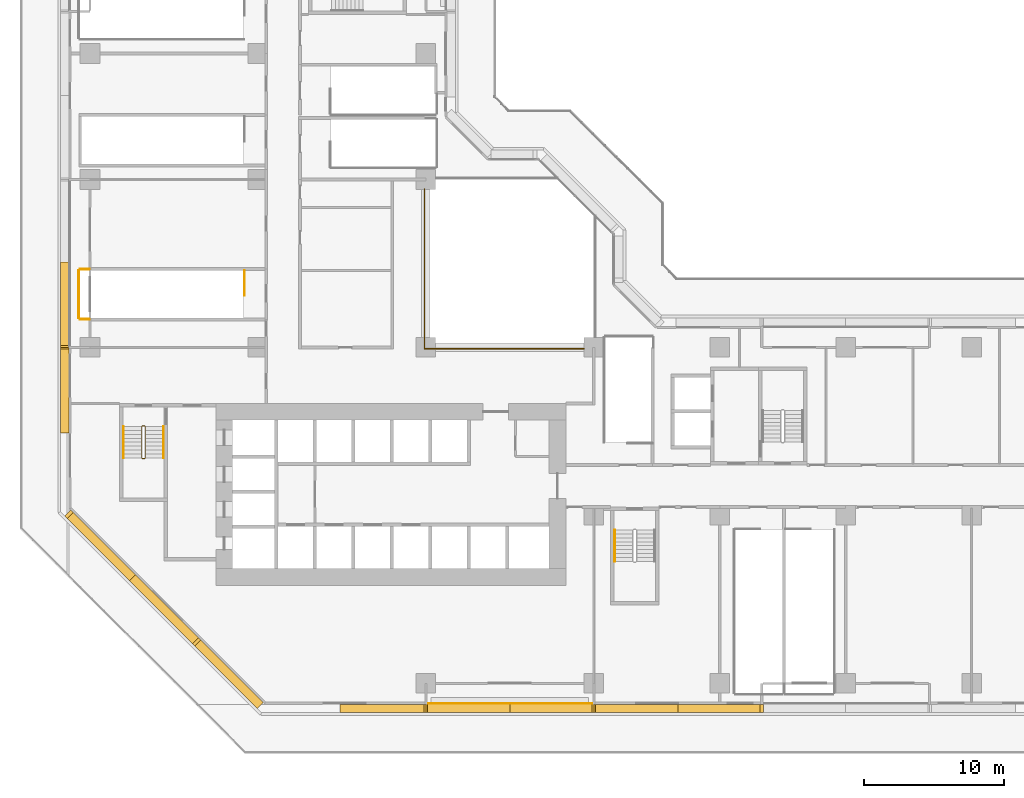
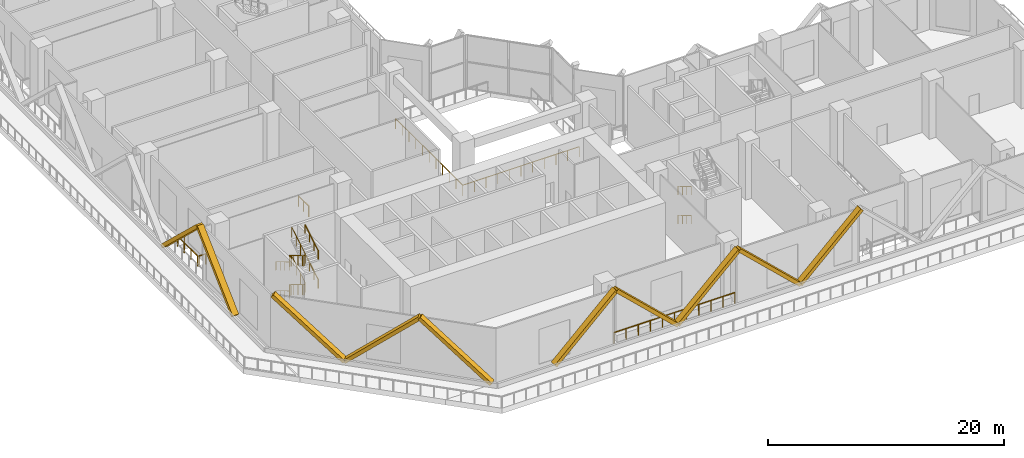
# One storey, part 11 of 16: 13 railings, 10 coverings.
"""IFC4 building model written with IfcOpenShell, lengths in metres."""

from ifc_helpers import new_model, si_unit, direction, frame, origin, origin_2d, place, context, subcontext, project, spatial, rectangle, extrude, material, material_profile, profile_set, type_object, element, save


model = new_model("IFC4")

# Units and contexts
model_context = context("Model", 3, precision=1e-05, world=origin(), true_north=direction((0.0, 1.0)))
body_context = subcontext(model_context, "Body", "Model", "MODEL_VIEW")
ifc_project = project(units=[si_unit("LENGTHUNIT", "METRE"), si_unit("AREAUNIT", "SQUARE_METRE"), si_unit("VOLUMEUNIT", "CUBIC_METRE"), si_unit("PLANEANGLEUNIT", "RADIAN"), si_unit("MASSUNIT", "GRAM", prefix="KILO")], contexts=[model_context])

# Site, building, storey
site_placement = place(None, origin())
site = spatial("IfcSite", under=ifc_project, at=site_placement, CompositionType="ELEMENT")
building_placement = place(site_placement, origin())
building = spatial("IfcBuilding", under=site, at=building_placement, Name="Chenar Terraces", CompositionType="ELEMENT")
storey_placement = place(building_placement, frame((0.0, 0.0, 35.39990234375)))
storey = spatial("IfcBuildingStorey", under=building, at=storey_placement, Name="L06", CompositionType="ELEMENT", Elevation=35.39990234375)

# Railings
ifc_material_1 = material(Name="Powder-coated steel", Category="steel")
railing_type_1 = type_object("IfcRailingType", Name="Guard 1100 steel rail with glass infill", PredefinedType="GUARDRAIL", material=ifc_material_1)
railing_1_placement = place(storey_placement, frame((23.89990234375, 35.300048828125, 0.0)))
element("IfcRailing", 1, at=railing_1_placement, inside=storey, type_object=railing_type_1, Name="Guard L06-1", PredefinedType="GUARDRAIL", context=body_context, shape_type="SweptSolid", body=[
    extrude(rectangle(XDim=0.06005859375, YDim=0.06005859375, at=origin_2d()), frame((0.0, 0.0, 1.070068359375), z_axis=(0.0, -1.0, 0.0), x_axis=(1.0, 0.0, 0.0)), (0.0, 0.0, 1.0), 11.400146484375),
    extrude(rectangle(XDim=0.06005859375, YDim=0.06005859375, at=origin_2d()), frame((0.0, -11.400146484375, 1.070068359375), z_axis=(1.0, 0.0, 0.0), x_axis=(0.0, 1.0, 0.0)), (0.0, 0.0, 1.0), 11.400146484375),
    extrude(rectangle(XDim=0.050048828125, YDim=0.050048828125, at=origin_2d()), origin(), (0.0, 0.0, 1.0), 1.0400390625),
    extrude(rectangle(XDim=0.050048828125, YDim=0.050048828125, at=origin_2d()), frame((0.0, -1.14013671875, 0.0)), (0.0, 0.0, 1.0), 1.0400390625),
    extrude(rectangle(XDim=0.050048828125, YDim=0.050048828125, at=origin_2d()), frame((0.0, -2.280029296875, 0.0)), (0.0, 0.0, 1.0), 1.0400390625),
    extrude(rectangle(XDim=0.050048828125, YDim=0.050048828125, at=origin_2d()), frame((0.0, -3.419921875, 0.0)), (0.0, 0.0, 1.0), 1.0400390625),
    extrude(rectangle(XDim=0.050048828125, YDim=0.050048828125, at=origin_2d()), frame((0.0, -4.56005859375, 0.0)), (0.0, 0.0, 1.0), 1.0400390625),
    extrude(rectangle(XDim=0.050048828125, YDim=0.050048828125, at=origin_2d()), frame((0.0, -5.7001953125, 0.0)), (0.0, 0.0, 1.0), 1.0400390625),
    extrude(rectangle(XDim=0.050048828125, YDim=0.050048828125, at=origin_2d()), frame((0.0, -6.840087890625, 0.0)), (0.0, 0.0, 1.0), 1.0400390625),
    extrude(rectangle(XDim=0.050048828125, YDim=0.050048828125, at=origin_2d()), frame((0.0, -7.97998046875, 0.0)), (0.0, 0.0, 1.0), 1.0400390625),
    extrude(rectangle(XDim=0.050048828125, YDim=0.050048828125, at=origin_2d()), frame((0.0, -9.1201171875, 0.0)), (0.0, 0.0, 1.0), 1.0400390625),
    extrude(rectangle(XDim=0.050048828125, YDim=0.050048828125, at=origin_2d()), frame((0.0, -10.26025390625, 0.0)), (0.0, 0.0, 1.0), 1.0400390625),
    extrude(rectangle(XDim=0.050048828125, YDim=0.050048828125, at=origin_2d()), frame((0.0, -11.400146484375, 0.0)), (0.0, 0.0, 1.0), 1.0400390625),
    extrude(rectangle(XDim=0.050048828125, YDim=0.050048828125, at=origin_2d()), frame((1.14013671875, -11.400146484375, 0.0)), (0.0, 0.0, 1.0), 1.0400390625),
    extrude(rectangle(XDim=0.050048828125, YDim=0.050048828125, at=origin_2d()), frame((2.280029296875, -11.400146484375, 0.0)), (0.0, 0.0, 1.0), 1.0400390625),
    extrude(rectangle(XDim=0.050048828125, YDim=0.050048828125, at=origin_2d()), frame((3.419921875, -11.400146484375, 0.0)), (0.0, 0.0, 1.0), 1.0400390625),
    extrude(rectangle(XDim=0.050048828125, YDim=0.050048828125, at=origin_2d()), frame((4.56005859375, -11.400146484375, 0.0)), (0.0, 0.0, 1.0), 1.0400390625),
    extrude(rectangle(XDim=0.050048828125, YDim=0.050048828125, at=origin_2d()), frame((5.7001953125, -11.400146484375, 0.0)), (0.0, 0.0, 1.0), 1.0400390625),
    extrude(rectangle(XDim=0.050048828125, YDim=0.050048828125, at=origin_2d()), frame((6.840087890625, -11.400146484375, 0.0)), (0.0, 0.0, 1.0), 1.0400390625),
    extrude(rectangle(XDim=0.050048828125, YDim=0.050048828125, at=origin_2d()), frame((7.97998046875, -11.400146484375, 0.0)), (0.0, 0.0, 1.0), 1.0400390625),
    extrude(rectangle(XDim=0.050048828125, YDim=0.050048828125, at=origin_2d()), frame((9.1201171875, -11.400146484375, 0.0)), (0.0, 0.0, 1.0), 1.0400390625),
    extrude(rectangle(XDim=0.050048828125, YDim=0.050048828125, at=origin_2d()), frame((10.26025390625, -11.400146484375, 0.0)), (0.0, 0.0, 1.0), 1.0400390625),
    extrude(rectangle(XDim=0.050048828125, YDim=0.050048828125, at=origin_2d()), frame((11.400146484375, -11.400146484375, 0.0)), (0.0, 0.0, 1.0), 1.0400390625),
])
ifc_material_2 = material(Name="Stainless steel and glass", Category="steel")
railing_type_2 = type_object("IfcRailingType", Name="Loggia guard 1150", PredefinedType="GUARDRAIL", material=ifc_material_2)
railing_2_placement = place(storey_placement, frame((24.074951171875, -1.449951171875, 0.0)))
element("IfcRailing", 2, at=railing_2_placement, inside=storey, type_object=railing_type_2, Name="Loggia guard", PredefinedType="GUARDRAIL", context=body_context, shape_type="SweptSolid", body=[
    extrude(rectangle(XDim=0.048095703125, YDim=0.048095703125, at=origin_2d()), frame((0.0, 0.0, 1.1259765625), z_axis=(1.0, 0.0, 0.0), x_axis=(0.0, 1.0, 0.0)), (0.0, 0.0, 1.0), 11.85009765625),
    extrude(rectangle(XDim=0.0419921875, YDim=0.0419921875, at=origin_2d()), origin(), (0.0, 0.0, 1.0), 1.101806640625),
    extrude(rectangle(XDim=0.0419921875, YDim=0.0419921875, at=origin_2d()), frame((1.18505859375, 0.0, 0.0)), (0.0, 0.0, 1.0), 1.101806640625),
    extrude(rectangle(XDim=0.0419921875, YDim=0.0419921875, at=origin_2d()), frame((2.3701171875, 0.0, 0.0)), (0.0, 0.0, 1.0), 1.101806640625),
    extrude(rectangle(XDim=0.0419921875, YDim=0.0419921875, at=origin_2d()), frame((3.554931640625, 0.0, 0.0)), (0.0, 0.0, 1.0), 1.101806640625),
    extrude(rectangle(XDim=0.0419921875, YDim=0.0419921875, at=origin_2d()), frame((4.739990234375, 0.0, 0.0)), (0.0, 0.0, 1.0), 1.101806640625),
    extrude(rectangle(XDim=0.0419921875, YDim=0.0419921875, at=origin_2d()), frame((5.925048828125, 0.0, 0.0)), (0.0, 0.0, 1.0), 1.101806640625),
    extrude(rectangle(XDim=0.0419921875, YDim=0.0419921875, at=origin_2d()), frame((7.110107421875, 0.0, 0.0)), (0.0, 0.0, 1.0), 1.101806640625),
    extrude(rectangle(XDim=0.0419921875, YDim=0.0419921875, at=origin_2d()), frame((8.295166015625, 0.0, 0.0)), (0.0, 0.0, 1.0), 1.101806640625),
    extrude(rectangle(XDim=0.0419921875, YDim=0.0419921875, at=origin_2d()), frame((9.47998046875, 0.0, 0.0)), (0.0, 0.0, 1.0), 1.101806640625),
    extrude(rectangle(XDim=0.0419921875, YDim=0.0419921875, at=origin_2d()), frame((10.6650390625, 0.0, 0.0)), (0.0, 0.0, 1.0), 1.101806640625),
    extrude(rectangle(XDim=0.0419921875, YDim=0.0419921875, at=origin_2d()), frame((11.85009765625, 0.0, 0.0)), (0.0, 0.0, 1.0), 1.101806640625),
])
ifc_material_3 = material(Name="Powder-coated steel", Category="steel")
railing_type_3 = type_object("IfcRailingType", Name="Stair guard 1100", PredefinedType="GUARDRAIL", material=ifc_material_3)
railing_3_placement = place(storey_placement, frame((3.949951171875, 18.35009765625, 6.0)))
element("IfcRailing", 3, at=railing_3_placement, inside=storey, type_object=railing_type_3, Name="L06 ST1 stair guard 1", PredefinedType="GUARDRAIL", context=body_context, shape_type="SweptSolid", body=[
    extrude(rectangle(XDim=0.048095703125, YDim=0.048095703125, at=origin_2d()), frame((0.0, 0.0, 1.076171875), z_axis=(0.0, -0.859305625298, -0.511462454469), x_axis=(1.0, 0.0, 0.0)), (0.0, 0.0, 1.0), 2.606689453125),
    extrude(rectangle(XDim=0.048095703125, YDim=0.048095703125, at=origin_2d()), frame((0.0, -2.239990234375, -0.25732421875), z_axis=(-0.27628659633, -0.27628659633, -0.920506074601), x_axis=(0.707106781187, -0.707106781187, 0.0)), (0.0, 0.0, 1.0), 0.18115234375),
    extrude(rectangle(XDim=0.048095703125, YDim=0.048095703125, at=origin_2d()), frame((-0.050048828125, -2.2900390625, -0.423828125), z_axis=(-1.0, 0.0, 0.0), x_axis=(0.0, -1.0, 0.0)), (0.0, 0.0, 1.0), 0.14990234375),
    extrude(rectangle(XDim=0.048095703125, YDim=0.048095703125, at=origin_2d()), frame((-0.199951171875, -2.2900390625, -0.423828125), z_axis=(-0.707106781187, 0.707106781187, 0.0), x_axis=(-0.707106781187, -0.707106781187, 0.0)), (0.0, 0.0, 1.0), 0.07080078125),
    extrude(rectangle(XDim=0.048095703125, YDim=0.048095703125, at=origin_2d()), frame((-0.25, -2.239990234375, -0.423828125), z_axis=(0.0, 0.859305625298, -0.511462454469), x_axis=(-1.0, 0.0, 0.0)), (0.0, 0.0, 1.0), 2.606689453125),
    extrude(rectangle(XDim=0.048095703125, YDim=0.048095703125, at=origin_2d()), frame((-0.25, 0.0, -1.75732421875), z_axis=(0.754313153044, 0.1878875253, -0.629054802844), x_axis=(-0.241699205484, 0.970351222016, 0.0)), (0.0, 0.0, 1.0), 0.26513671875),
    extrude(rectangle(XDim=0.048095703125, YDim=0.048095703125, at=origin_2d()), frame((-0.050048828125, 0.0498046875, -1.923828125), z_axis=(-1.0, 0.0, 0.0), x_axis=(0.0, -1.0, 0.0)), (0.0, 0.0, 1.0), 0.14990234375),
    extrude(rectangle(XDim=0.048095703125, YDim=0.048095703125, at=origin_2d()), frame((-0.199951171875, 0.0498046875, -1.923828125), z_axis=(0.970351222016, -0.241699205484, 0.0), x_axis=(0.241699205484, 0.970351222016, 0.0)), (0.0, 0.0, 1.0), 0.2060546875),
    extrude(rectangle(XDim=0.048095703125, YDim=0.048095703125, at=origin_2d()), frame((0.0, 0.0, -1.923828125), z_axis=(0.0, -0.859305625298, -0.511462454469), x_axis=(1.0, 0.0, 0.0)), (0.0, 0.0, 1.0), 2.606689453125),
    extrude(rectangle(XDim=0.048095703125, YDim=0.048095703125, at=origin_2d()), frame((0.0, -2.239990234375, -3.25732421875), z_axis=(-0.27628659633, -0.27628659633, -0.920506074601), x_axis=(0.707106781187, -0.707106781187, 0.0)), (0.0, 0.0, 1.0), 0.18115234375),
    extrude(rectangle(XDim=0.048095703125, YDim=0.048095703125, at=origin_2d()), frame((-0.050048828125, -2.2900390625, -3.423828125), z_axis=(-1.0, 0.0, 0.0), x_axis=(0.0, -1.0, 0.0)), (0.0, 0.0, 1.0), 0.14990234375),
    extrude(rectangle(XDim=0.048095703125, YDim=0.048095703125, at=origin_2d()), frame((-0.199951171875, -2.2900390625, -3.423828125), z_axis=(-0.707106781187, 0.707106781187, 0.0), x_axis=(-0.707106781187, -0.707106781187, 0.0)), (0.0, 0.0, 1.0), 0.07080078125),
    extrude(rectangle(XDim=0.048095703125, YDim=0.048095703125, at=origin_2d()), frame((-0.25, -2.239990234375, -3.423828125), z_axis=(0.0, 0.859305625298, -0.511462454469), x_axis=(-1.0, 0.0, 0.0)), (0.0, 0.0, 1.0), 2.606689453125),
    extrude(rectangle(XDim=0.048095703125, YDim=0.048095703125, at=origin_2d()), frame((-0.25, 0.0, -4.75732421875), z_axis=(0.276389281352, 0.275041040955, -0.920848191041), x_axis=(-0.705375805398, 0.708833529934, 0.0)), (0.0, 0.0, 1.0), 0.18115234375),
    extrude(rectangle(XDim=0.048095703125, YDim=0.048095703125, at=origin_2d()), frame((-0.199951171875, 0.0498046875, -4.923828125), z_axis=(1.0, 0.0, 0.0), x_axis=(0.0, 1.0, 0.0)), (0.0, 0.0, 1.0), 0.14990234375),
    extrude(rectangle(XDim=0.0419921875, YDim=0.0419921875, at=origin_2d()), origin(), (0.0, 0.0, 1.0), 1.052001953125),
    extrude(rectangle(XDim=0.0419921875, YDim=0.0419921875, at=origin_2d()), frame((0.0, -0.74658203125, -0.4443359375)), (0.0, 0.0, 1.0), 1.052001953125),
    extrude(rectangle(XDim=0.0419921875, YDim=0.0419921875, at=origin_2d()), frame((0.0, -1.493408203125, -0.888916015625)), (0.0, 0.0, 1.0), 1.052001953125),
    extrude(rectangle(XDim=0.0419921875, YDim=0.0419921875, at=origin_2d()), frame((0.0, -2.239990234375, -1.333251953125)), (0.0, 0.0, 1.0), 1.052001953125),
    extrude(rectangle(XDim=0.0419921875, YDim=0.0419921875, at=origin_2d()), frame((-0.050048828125, -2.2900390625, -1.5)), (0.0, 0.0, 1.0), 1.052001953125),
    extrude(rectangle(XDim=0.0419921875, YDim=0.0419921875, at=origin_2d()), frame((-0.199951171875, -2.2900390625, -1.5)), (0.0, 0.0, 1.0), 1.052001953125),
    extrude(rectangle(XDim=0.0419921875, YDim=0.0419921875, at=origin_2d()), frame((-0.25, -2.239990234375, -1.5)), (0.0, 0.0, 1.0), 1.052001953125),
    extrude(rectangle(XDim=0.0419921875, YDim=0.0419921875, at=origin_2d()), frame((-0.25, -1.493408203125, -1.9443359375)), (0.0, 0.0, 1.0), 1.052001953125),
    extrude(rectangle(XDim=0.0419921875, YDim=0.0419921875, at=origin_2d()), frame((-0.25, -0.74658203125, -2.388916015625)), (0.0, 0.0, 1.0), 1.052001953125),
    extrude(rectangle(XDim=0.0419921875, YDim=0.0419921875, at=origin_2d()), frame((-0.25, 0.0, -2.833251953125)), (0.0, 0.0, 1.0), 1.052001953125),
    extrude(rectangle(XDim=0.0419921875, YDim=0.0419921875, at=origin_2d()), frame((-0.050048828125, 0.0498046875, -3.0)), (0.0, 0.0, 1.0), 1.052001953125),
    extrude(rectangle(XDim=0.0419921875, YDim=0.0419921875, at=origin_2d()), frame((-0.199951171875, 0.0498046875, -3.0)), (0.0, 0.0, 1.0), 1.052001953125),
    extrude(rectangle(XDim=0.0419921875, YDim=0.0419921875, at=origin_2d()), frame((0.0, 0.0, -3.0)), (0.0, 0.0, 1.0), 1.052001953125),
    extrude(rectangle(XDim=0.0419921875, YDim=0.0419921875, at=origin_2d()), frame((0.0, -0.74658203125, -3.4443359375)), (0.0, 0.0, 1.0), 1.052001953125),
    extrude(rectangle(XDim=0.0419921875, YDim=0.0419921875, at=origin_2d()), frame((0.0, -1.493408203125, -3.888916015625)), (0.0, 0.0, 1.0), 1.052001953125),
    extrude(rectangle(XDim=0.0419921875, YDim=0.0419921875, at=origin_2d()), frame((0.0, -2.239990234375, -4.333251953125)), (0.0, 0.0, 1.0), 1.052001953125),
    extrude(rectangle(XDim=0.0419921875, YDim=0.0419921875, at=origin_2d()), frame((-0.050048828125, -2.2900390625, -4.5)), (0.0, 0.0, 1.0), 1.052001953125),
    extrude(rectangle(XDim=0.0419921875, YDim=0.0419921875, at=origin_2d()), frame((-0.199951171875, -2.2900390625, -4.5)), (0.0, 0.0, 1.0), 1.052001953125),
    extrude(rectangle(XDim=0.0419921875, YDim=0.0419921875, at=origin_2d()), frame((-0.25, -2.239990234375, -4.5)), (0.0, 0.0, 1.0), 1.052001953125),
    extrude(rectangle(XDim=0.0419921875, YDim=0.0419921875, at=origin_2d()), frame((-0.25, -1.493408203125, -4.9443359375)), (0.0, 0.0, 1.0), 1.052001953125),
    extrude(rectangle(XDim=0.0419921875, YDim=0.0419921875, at=origin_2d()), frame((-0.25, -0.74658203125, -5.388916015625)), (0.0, 0.0, 1.0), 1.052001953125),
    extrude(rectangle(XDim=0.0419921875, YDim=0.0419921875, at=origin_2d()), frame((-0.25, 0.0, -5.833251953125)), (0.0, 0.0, 1.0), 1.052001953125),
    extrude(rectangle(XDim=0.0419921875, YDim=0.0419921875, at=origin_2d()), frame((-0.199951171875, 0.0498046875, -6.0)), (0.0, 0.0, 1.0), 1.052001953125),
    extrude(rectangle(XDim=0.0419921875, YDim=0.0419921875, at=origin_2d()), frame((-0.050048828125, 0.0498046875, -6.0)), (0.0, 0.0, 1.0), 1.052001953125),
])
railing_4_placement = place(storey_placement, frame((11.034912109375, 27.72509765625, 0.0)))
element("IfcRailing", 4, at=railing_4_placement, inside=storey, type_object=railing_type_3, Name="L06 PS5 top well guard 1", PredefinedType="GUARDRAIL", context=body_context, shape_type="SweptSolid", body=[
    extrude(rectangle(XDim=0.048095703125, YDim=0.048095703125, at=origin_2d()), frame((0.0, 0.0, 1.076171875), z_axis=(0.0, 1.0, 0.0), x_axis=(-1.0, 0.0, 0.0)), (0.0, 0.0, 1.0), 1.764892578125),
    extrude(rectangle(XDim=0.0419921875, YDim=0.0419921875, at=origin_2d()), origin(), (0.0, 0.0, 1.0), 1.052001953125),
    extrude(rectangle(XDim=0.0419921875, YDim=0.0419921875, at=origin_2d()), frame((0.0, 0.88232421875, 0.0)), (0.0, 0.0, 1.0), 1.052001953125),
    extrude(rectangle(XDim=0.0419921875, YDim=0.0419921875, at=origin_2d()), frame((0.0, 1.764892578125, 0.0)), (0.0, 0.0, 1.0), 1.052001953125),
])
railing_5_placement = place(storey_placement, frame((-0.048095703125, 29.590087890625, 0.0)))
element("IfcRailing", 5, at=railing_5_placement, inside=storey, type_object=railing_type_3, Name="L06 PS5 stair guard 101", PredefinedType="GUARDRAIL", context=body_context, shape_type="SweptSolid", body=[
    extrude(rectangle(XDim=0.048095703125, YDim=0.048095703125, at=origin_2d()), frame((0.0, 0.0, 1.076171875), z_axis=(-1.0, 0.0, 0.0), x_axis=(0.0, -1.0, 0.0)), (0.0, 0.0, 1.0), 0.65185546875),
    extrude(rectangle(XDim=0.0419921875, YDim=0.0419921875, at=origin_2d()), origin(), (0.0, 0.0, 1.0), 1.052001953125),
    extrude(rectangle(XDim=0.0419921875, YDim=0.0419921875, at=origin_2d()), frame((-0.65185546875, 0.0, 0.0)), (0.0, 0.0, 1.0), 1.052001953125),
])
railing_6_placement = place(storey_placement, frame((-0.800048828125, 29.489990234375, 0.0)))
element("IfcRailing", 6, at=railing_6_placement, inside=storey, type_object=railing_type_3, Name="L06 PS5 stair guard 102", PredefinedType="GUARDRAIL", context=body_context, shape_type="SweptSolid", body=[
    extrude(rectangle(XDim=0.048095703125, YDim=0.048095703125, at=origin_2d()), frame((0.0, 0.0, 1.076171875), z_axis=(0.0, -1.0, 0.0), x_axis=(1.0, 0.0, 0.0)), (0.0, 0.0, 1.0), 3.3798828125),
    extrude(rectangle(XDim=0.0419921875, YDim=0.0419921875, at=origin_2d()), origin(), (0.0, 0.0, 1.0), 1.052001953125),
    extrude(rectangle(XDim=0.0419921875, YDim=0.0419921875, at=origin_2d()), frame((0.0, -1.126708984375, 0.0)), (0.0, 0.0, 1.0), 1.052001953125),
    extrude(rectangle(XDim=0.0419921875, YDim=0.0419921875, at=origin_2d()), frame((0.0, -2.253173828125, 0.0)), (0.0, 0.0, 1.0), 1.052001953125),
    extrude(rectangle(XDim=0.0419921875, YDim=0.0419921875, at=origin_2d()), frame((0.0, -3.3798828125, 0.0)), (0.0, 0.0, 1.0), 1.052001953125),
])
railing_7_placement = place(storey_placement, frame((-0.699951171875, 26.010009765625, 0.0)))
element("IfcRailing", 7, at=railing_7_placement, inside=storey, type_object=railing_type_3, Name="L06 PS5 stair guard 103", PredefinedType="GUARDRAIL", context=body_context, shape_type="SweptSolid", body=[
    extrude(rectangle(XDim=0.048095703125, YDim=0.048095703125, at=origin_2d()), frame((0.0, 0.0, 1.076171875), z_axis=(1.0, 0.0, 0.0), x_axis=(0.0, 1.0, 0.0)), (0.0, 0.0, 1.0), 0.65185546875),
    extrude(rectangle(XDim=0.0419921875, YDim=0.0419921875, at=origin_2d()), origin(), (0.0, 0.0, 1.0), 1.052001953125),
    extrude(rectangle(XDim=0.0419921875, YDim=0.0419921875, at=origin_2d()), frame((0.65185546875, 0.0, 0.0)), (0.0, 0.0, 1.0), 1.052001953125),
])
ifc_material_4 = material(Name="Powder-coated steel", Category="steel")
railing_type_4 = type_object("IfcRailingType", Name="Stair handrail 900", PredefinedType="HANDRAIL", material=ifc_material_4)
railing_8_placement = place(storey_placement, frame((2.39990234375, 18.35009765625, 0.166748046875)))
element("IfcRailing", 8, at=railing_8_placement, inside=storey, type_object=railing_type_4, Name="L06 ST1 stair handrail 1", PredefinedType="HANDRAIL", context=body_context, shape_type="SweptSolid", body=[
    extrude(rectangle(XDim=0.048095703125, YDim=0.048095703125, at=origin_2d()), frame((0.0, 0.0, 0.8759765625), z_axis=(0.0, -0.859305625298, 0.511462454469), x_axis=(1.0, 0.0, 0.0)), (0.0, 0.0, 1.0), 2.606689453125),
    extrude(rectangle(XDim=0.0419921875, YDim=0.0419921875, at=origin_2d()), origin(), (0.0, 0.0, 1.0), 0.851806640625),
    extrude(rectangle(XDim=0.0419921875, YDim=0.0419921875, at=origin_2d()), frame((0.0, -0.74658203125, 0.4443359375)), (0.0, 0.0, 1.0), 0.851806640625),
    extrude(rectangle(XDim=0.0419921875, YDim=0.0419921875, at=origin_2d()), frame((0.0, -1.493408203125, 0.888916015625)), (0.0, 0.0, 1.0), 0.851806640625),
    extrude(rectangle(XDim=0.0419921875, YDim=0.0419921875, at=origin_2d()), frame((0.0, -2.239990234375, 1.333251953125)), (0.0, 0.0, 1.0), 0.851806640625),
])
railing_9_placement = place(storey_placement, frame((5.25, 16.110107421875, 1.666748046875)))
element("IfcRailing", 9, at=railing_9_placement, inside=storey, type_object=railing_type_4, Name="L06 ST1 stair handrail 2", PredefinedType="HANDRAIL", context=body_context, shape_type="SweptSolid", body=[
    extrude(rectangle(XDim=0.048095703125, YDim=0.048095703125, at=origin_2d()), frame((0.0, 0.0, 0.8759765625), z_axis=(0.0, 0.859305625298, 0.511462454469), x_axis=(-1.0, 0.0, 0.0)), (0.0, 0.0, 1.0), 2.606689453125),
    extrude(rectangle(XDim=0.0419921875, YDim=0.0419921875, at=origin_2d()), origin(), (0.0, 0.0, 1.0), 0.851806640625),
    extrude(rectangle(XDim=0.0419921875, YDim=0.0419921875, at=origin_2d()), frame((0.0, 0.74658203125, 0.4443359375)), (0.0, 0.0, 1.0), 0.851806640625),
    extrude(rectangle(XDim=0.0419921875, YDim=0.0419921875, at=origin_2d()), frame((0.0, 1.493408203125, 0.888916015625)), (0.0, 0.0, 1.0), 0.851806640625),
    extrude(rectangle(XDim=0.0419921875, YDim=0.0419921875, at=origin_2d()), frame((0.0, 2.239990234375, 1.333251953125)), (0.0, 0.0, 1.0), 0.851806640625),
])
railing_10_placement = place(storey_placement, frame((2.39990234375, 18.35009765625, 3.166748046875)))
element("IfcRailing", 10, at=railing_10_placement, inside=storey, type_object=railing_type_4, Name="L06 ST1 stair handrail 3", PredefinedType="HANDRAIL", context=body_context, shape_type="SweptSolid", body=[
    extrude(rectangle(XDim=0.048095703125, YDim=0.048095703125, at=origin_2d()), frame((0.0, 0.0, 0.8759765625), z_axis=(0.0, -0.859305625298, 0.511462454469), x_axis=(1.0, 0.0, 0.0)), (0.0, 0.0, 1.0), 2.606689453125),
    extrude(rectangle(XDim=0.0419921875, YDim=0.0419921875, at=origin_2d()), origin(), (0.0, 0.0, 1.0), 0.851806640625),
    extrude(rectangle(XDim=0.0419921875, YDim=0.0419921875, at=origin_2d()), frame((0.0, -0.74658203125, 0.4443359375)), (0.0, 0.0, 1.0), 0.851806640625),
    extrude(rectangle(XDim=0.0419921875, YDim=0.0419921875, at=origin_2d()), frame((0.0, -1.493408203125, 0.888916015625)), (0.0, 0.0, 1.0), 0.851806640625),
    extrude(rectangle(XDim=0.0419921875, YDim=0.0419921875, at=origin_2d()), frame((0.0, -2.239990234375, 1.333251953125)), (0.0, 0.0, 1.0), 0.851806640625),
])
railing_11_placement = place(storey_placement, frame((5.25, 16.110107421875, 4.666748046875)))
element("IfcRailing", 11, at=railing_11_placement, inside=storey, type_object=railing_type_4, Name="L06 ST1 stair handrail 4", PredefinedType="HANDRAIL", context=body_context, shape_type="SweptSolid", body=[
    extrude(rectangle(XDim=0.048095703125, YDim=0.048095703125, at=origin_2d()), frame((0.0, 0.0, 0.8759765625), z_axis=(0.0, 0.859305625298, 0.511462454469), x_axis=(-1.0, 0.0, 0.0)), (0.0, 0.0, 1.0), 2.606689453125),
    extrude(rectangle(XDim=0.0419921875, YDim=0.0419921875, at=origin_2d()), origin(), (0.0, 0.0, 1.0), 0.851806640625),
    extrude(rectangle(XDim=0.0419921875, YDim=0.0419921875, at=origin_2d()), frame((0.0, 0.74658203125, 0.4443359375)), (0.0, 0.0, 1.0), 0.851806640625),
    extrude(rectangle(XDim=0.0419921875, YDim=0.0419921875, at=origin_2d()), frame((0.0, 1.493408203125, 0.888916015625)), (0.0, 0.0, 1.0), 0.851806640625),
    extrude(rectangle(XDim=0.0419921875, YDim=0.0419921875, at=origin_2d()), frame((0.0, 2.239990234375, 1.333251953125)), (0.0, 0.0, 1.0), 0.851806640625),
])
for number, where, name in (
    (12, (37.5, 10.949951171875, 0.166748046875), "L06 ST2 stair handrail 1"),
    (13, (37.5, 10.949951171875, 3.166748046875), "L06 ST2 stair handrail 3"),
):
    element("IfcRailing", number, at=place(storey_placement, frame(where)), inside=storey, type_object=railing_type_4, Name=name, PredefinedType="HANDRAIL", context=body_context, shape_type="SweptSolid", body=[
        extrude(rectangle(XDim=0.048095703125, YDim=0.048095703125, at=origin_2d()), frame((0.0, 0.0, 0.8759765625), z_axis=(0.0, -0.859305625298, 0.511462454469), x_axis=(1.0, 0.0, 0.0)), (0.0, 0.0, 1.0), 2.606689453125),
        extrude(rectangle(XDim=0.0419921875, YDim=0.0419921875, at=origin_2d()), origin(), (0.0, 0.0, 1.0), 0.851806640625),
        extrude(rectangle(XDim=0.0419921875, YDim=0.0419921875, at=origin_2d()), frame((0.0, -0.74658203125, 0.4443359375)), (0.0, 0.0, 1.0), 0.851806640625),
        extrude(rectangle(XDim=0.0419921875, YDim=0.0419921875, at=origin_2d()), frame((0.0, -1.493408203125, 0.888916015625)), (0.0, 0.0, 1.0), 0.851806640625),
        extrude(rectangle(XDim=0.0419921875, YDim=0.0419921875, at=origin_2d()), frame((0.0, -2.239990234375, 1.333251953125)), (0.0, 0.0, 1.0), 0.851806640625),
    ])

# Coverings
ifc_material_5 = material(Name="Terracotta", Category="masonry")
ifc_material_profile = material_profile(ifc_material_5, rectangle(XDim=0.60009765625, YDim=0.35009765625, at=origin_2d()), Name="Terracotta baguette 600 x 350")
ifc_profile_set = profile_set([ifc_material_profile], Name="Terracotta")
covering_type = type_object("IfcCoveringType", Name="Terracotta baguette 600 x 350", PredefinedType="CLADDING", material=ifc_profile_set)
for number, where, z_axis, x_axis, name in (
    (14, (-1.800048828125, 30.0, 0.150146484375), (0.0, -0.725002379753, 0.688746360681), (1.0, 0.0, 0.0), "Terracotta baguette"),
    (15, (-1.800048828125, 24.0, 5.85009765625), (0.0, -0.725002379753, -0.688746360681), (1.0, 0.0, 0.0), "Terracotta baguette"),
):
    element("IfcCovering", number, at=place(storey_placement, frame(where, z_axis=z_axis, x_axis=x_axis)), inside=storey, type_object=covering_type, Name=name, PredefinedType="CLADDING", context=body_context, shape_type="SweptSolid", body=[
        extrude(rectangle(XDim=0.60009765625, YDim=0.35009765625, at=origin_2d()), origin(), (0.0, 0.0, 1.0), 8.27587890625),
    ])
covering_1_placement = place(storey_placement, frame((-1.5, 12.07568359375, 5.85009765625), z_axis=(0.524337310333, -0.524337310333, -0.670925308798), x_axis=(0.707106781187, 0.707106781187, 0.0)))
element("IfcCovering", 16, at=covering_1_placement, inside=storey, type_object=covering_type, Name="Terracotta baguette", PredefinedType="CLADDING", context=body_context, shape_type="SweptSolid", body=[
    extrude(rectangle(XDim=0.60009765625, YDim=0.35009765625, at=origin_2d()), origin(), (0.0, 0.0, 1.0), 8.49560546875),
])
covering_2_placement = place(storey_placement, frame((2.95458984375, 7.62109375, 0.150146484375), z_axis=(0.535137000807, -0.535137000807, 0.653648820647), x_axis=(0.707106781187, 0.707106781187, 0.0)))
element("IfcCovering", 17, at=covering_2_placement, inside=storey, type_object=covering_type, Name="Terracotta baguette", PredefinedType="CLADDING", context=body_context, shape_type="SweptSolid", body=[
    extrude(rectangle(XDim=0.60009765625, YDim=0.35009765625, at=origin_2d()), origin(), (0.0, 0.0, 1.0), 8.72021484375),
])
covering_3_placement = place(storey_placement, frame((7.62109375, 2.95458984375, 5.85009765625), z_axis=(0.524337310333, -0.524337310333, -0.670925308798), x_axis=(0.707106781187, 0.707106781187, 0.0)))
element("IfcCovering", 18, at=covering_3_placement, inside=storey, type_object=covering_type, Name="Terracotta baguette", PredefinedType="CLADDING", context=body_context, shape_type="SweptSolid", body=[
    extrude(rectangle(XDim=0.60009765625, YDim=0.35009765625, at=origin_2d()), origin(), (0.0, 0.0, 1.0), 8.49560546875),
])
for number, where, z_axis, x_axis, name in (
    (19, (18.0, -1.800048828125, 0.150146484375), (0.725002379753, 0.0, 0.688746360681), (0.0, 1.0, 0.0), "Terracotta baguette"),
    (20, (24.0, -1.800048828125, 5.85009765625), (0.725002379753, 0.0, -0.688746360681), (0.0, 1.0, 0.0), "Terracotta baguette"),
    (21, (30.0, -1.800048828125, 0.150146484375), (0.725002379753, 0.0, 0.688746360681), (0.0, 1.0, 0.0), "Terracotta baguette"),
    (22, (36.0, -1.800048828125, 5.85009765625), (0.725002379753, 0.0, -0.688746360681), (0.0, 1.0, 0.0), "Terracotta baguette"),
    (23, (42.0, -1.800048828125, 0.150146484375), (0.725002379753, 0.0, 0.688746360681), (0.0, 1.0, 0.0), "Terracotta baguette"),
):
    element("IfcCovering", number, at=place(storey_placement, frame(where, z_axis=z_axis, x_axis=x_axis)), inside=storey, type_object=covering_type, Name=name, PredefinedType="CLADDING", context=body_context, shape_type="SweptSolid", body=[
        extrude(rectangle(XDim=0.60009765625, YDim=0.35009765625, at=origin_2d()), origin(), (0.0, 0.0, 1.0), 8.27587890625),
    ])

save(model, "model.ifc")
